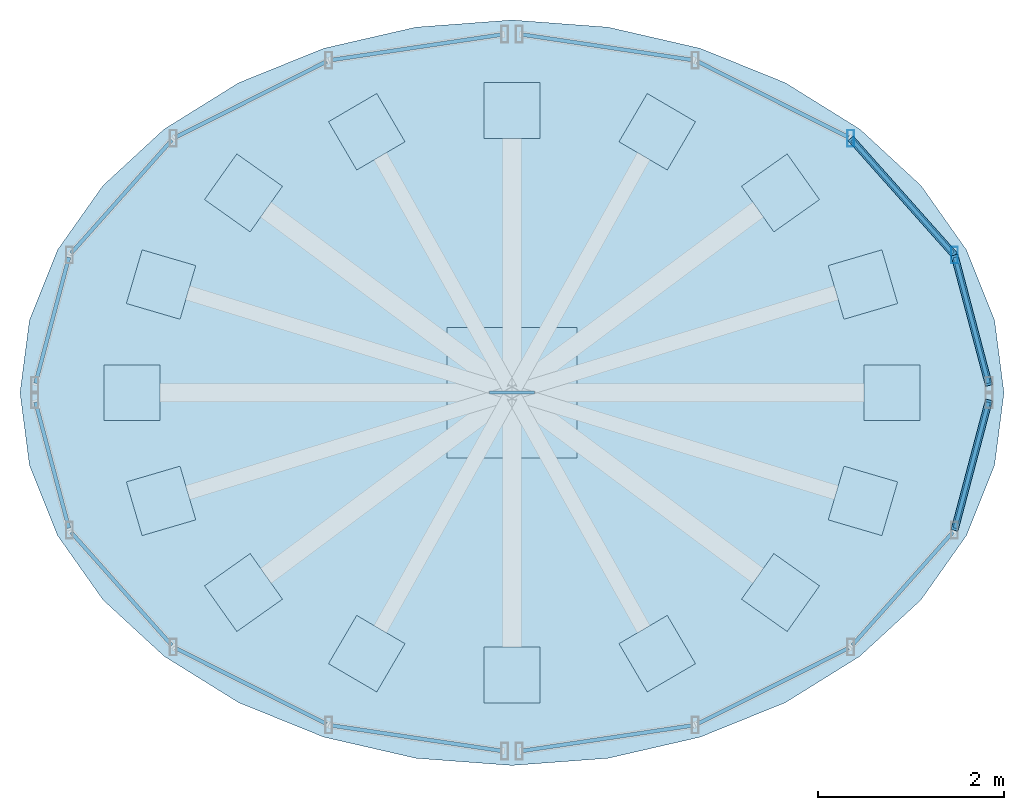
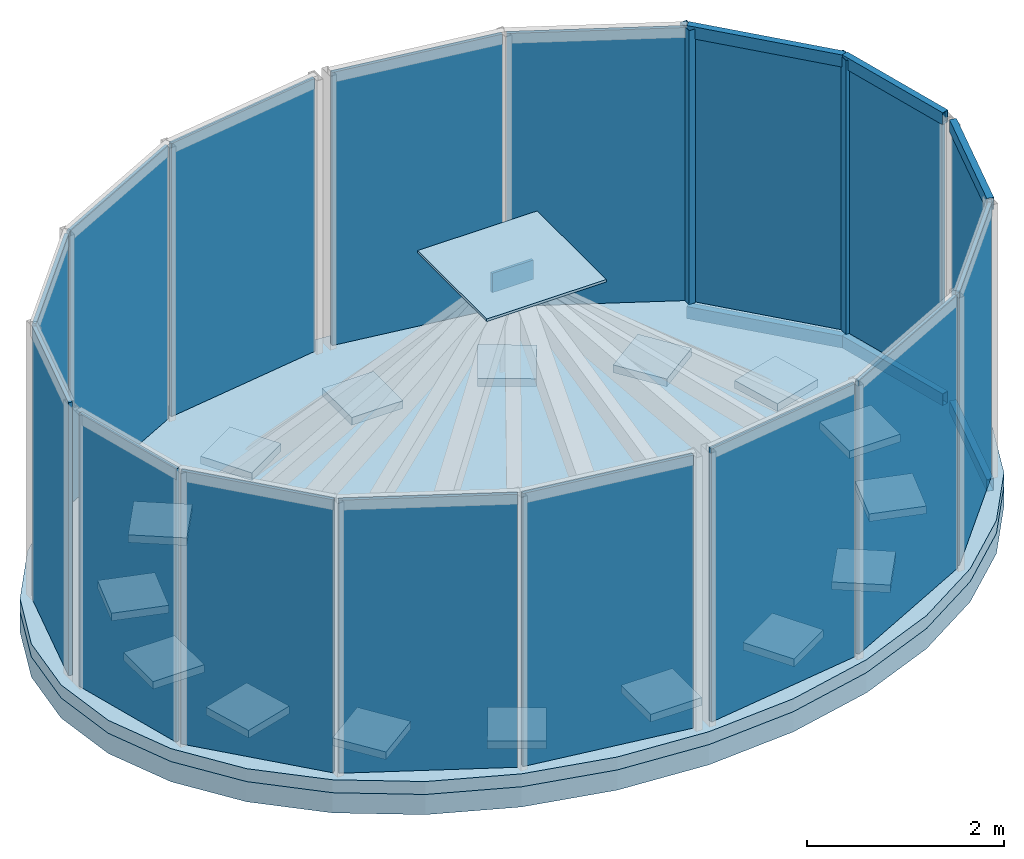
# One storey, part 2 of 2: 34 plates, 8 members, 1 roof, 1 slab, 4 elements without a shape of their own.
"""IFC4 building model written with IfcOpenShell, lengths in metres."""

from ifc_helpers import new_model, si_unit, direction, frame, origin, origin_2d, place, context, subcontext, project, spatial, polyline, rectangle, hollow_rectangle, outline, extrude, material, layer, layer_set, material_profile, profile_set, type_object, element, aggregate, save


model = new_model("IFC4")

# Units and contexts
model_context = context("Model", 3, precision=1e-05, world=origin(), true_north=direction((0.0, 1.0)))
body_context = subcontext(model_context, "Body", "Model", "MODEL_VIEW")
ifc_project = project(units=[si_unit("LENGTHUNIT", "METRE"), si_unit("AREAUNIT", "SQUARE_METRE"), si_unit("VOLUMEUNIT", "CUBIC_METRE"), si_unit("PLANEANGLEUNIT", "RADIAN"), si_unit("MASSUNIT", "GRAM", prefix="KILO")], contexts=[model_context])

# Site, building, storey
site_placement = place(None, origin())
site = spatial("IfcSite", under=ifc_project, at=site_placement, CompositionType="ELEMENT")
building_placement = place(site_placement, origin())
building = spatial("IfcBuilding", under=site, at=building_placement, Name="Vorneva Point Tower", CompositionType="ELEMENT")
storey_placement = place(building_placement, frame((0.0, 0.0, 314.39990234375)))
storey = spatial("IfcBuildingStorey", under=building, at=storey_placement, Name="RF", CompositionType="ELEMENT", Elevation=314.39990234375)

# Curtain wall, members
ifc_material_1 = material(Name="Pale anodised aluminium", Category="aluminium")
curtain_wall_type = type_object("IfcCurtainWallType", Name="CW-CRN-SYS", PredefinedType="NOTDEFINED", material=ifc_material_1)
curtain_wall_1_placement = place(storey_placement, origin())
curtain_wall_1 = element("IfcCurtainWall", 1, at=curtain_wall_1_placement, inside=storey, type_object=curtain_wall_type, Name="RF Unitised Curtain Wall CW-RF-Q1", PredefinedType="NOTDEFINED")
ifc_material_profile_1 = material_profile(ifc_material_1, hollow_rectangle(XDim=0.074951171875, YDim=0.179931640625, WallThickness=0.00390625, at=origin_2d()), Name="AL-MUL 180x75x4")
ifc_profile_set_1 = profile_set([ifc_material_profile_1], Name="Pale anodised aluminium")
member_type_1 = type_object("IfcMemberType", Name="CW-MUL-180", PredefinedType="MULLION", material=ifc_profile_set_1)
member_1_placement = place(storey_placement, frame((42.748779296875, 27.477294921875, -0.039794921875), z_axis=(0.0, 0.0, 1.0), x_axis=(1.0, 0.0, 0.0)))
member_1 = element("IfcMember", 2, at=member_1_placement, type_object=member_type_1, Name="CW-RF-Q1 Mullion 02", PredefinedType="MULLION", context=body_context, shape_type="SweptSolid", body=[
    extrude(hollow_rectangle(XDim=0.074951171875, YDim=0.179931640625, WallThickness=0.00390625, at=origin_2d()), origin(), (0.0, 0.0, 1.0), 3.58984375),
])
member_2_placement = place(storey_placement, frame((41.634521484375, 28.7294921875, -0.039794921875), z_axis=(0.0, 0.0, 1.0), x_axis=(1.0, 0.0, 0.0)))
member_2 = element("IfcMember", 3, at=member_2_placement, type_object=member_type_1, Name="CW-RF-Q1 Mullion 03", PredefinedType="MULLION", context=body_context, shape_type="SweptSolid", body=[
    extrude(hollow_rectangle(XDim=0.074951171875, YDim=0.179931640625, WallThickness=0.00390625, at=origin_2d()), origin(), (0.0, 0.0, 1.0), 3.58984375),
])
ifc_material_profile_2 = material_profile(ifc_material_1, hollow_rectangle(XDim=0.074951171875, YDim=0.14990234375, WallThickness=0.00390625, at=origin_2d()), Name="AL-TRN 150x75x4")
ifc_profile_set_2 = profile_set([ifc_material_profile_2], Name="Pale anodised aluminium")
member_type_2 = type_object("IfcMemberType", Name="CW-TRN-150", PredefinedType="USERDEFINED", material=ifc_profile_set_2)
member_3_placement = place(storey_placement, frame((43.119384765625, 26.077392578125, 0.02001953125), z_axis=(-0.255920363331, 0.966697867812, 0.0), x_axis=(-0.966697867812, -0.255920363331, 0.0)))
member_3 = element("IfcMember", 4, at=member_3_placement, type_object=member_type_2, Name="CW-RF-Q1 Transom 01.1", ObjectType="TRANSOM", PredefinedType="USERDEFINED", context=body_context, shape_type="SweptSolid", body=[
    extrude(hollow_rectangle(XDim=0.074951171875, YDim=0.14990234375, WallThickness=0.00390625, at=origin_2d()), origin(), (0.0, 0.0, 1.0), 1.4482421875),
])
member_4_placement = place(storey_placement, frame((43.119384765625, 26.077392578125, 3.5), z_axis=(-0.255920363331, 0.966697867812, 0.0), x_axis=(-0.966697867812, -0.255920363331, 0.0)))
member_4 = element("IfcMember", 5, at=member_4_placement, type_object=member_type_2, Name="CW-RF-Q1 Transom 01.2", ObjectType="TRANSOM", PredefinedType="USERDEFINED", context=body_context, shape_type="SweptSolid", body=[
    extrude(hollow_rectangle(XDim=0.074951171875, YDim=0.14990234375, WallThickness=0.00390625, at=origin_2d()), origin(), (0.0, 0.0, 1.0), 1.4482421875),
])
member_5_placement = place(storey_placement, frame((42.748779296875, 27.477294921875, 0.02001953125), z_axis=(-0.664761528843, 0.747055626958, 0.0), x_axis=(-0.747055626958, -0.664761528843, 0.0)))
member_5 = element("IfcMember", 6, at=member_5_placement, type_object=member_type_2, Name="CW-RF-Q1 Transom 02.1", ObjectType="TRANSOM", PredefinedType="USERDEFINED", context=body_context, shape_type="SweptSolid", body=[
    extrude(hollow_rectangle(XDim=0.074951171875, YDim=0.14990234375, WallThickness=0.00390625, at=origin_2d()), origin(), (0.0, 0.0, 1.0), 1.67626953125),
])
member_6_placement = place(storey_placement, frame((42.748779296875, 27.477294921875, 3.5), z_axis=(-0.664761528843, 0.747055626958, 0.0), x_axis=(-0.747055626958, -0.664761528843, 0.0)))
member_6 = element("IfcMember", 7, at=member_6_placement, type_object=member_type_2, Name="CW-RF-Q1 Transom 02.2", ObjectType="TRANSOM", PredefinedType="USERDEFINED", context=body_context, shape_type="SweptSolid", body=[
    extrude(hollow_rectangle(XDim=0.074951171875, YDim=0.14990234375, WallThickness=0.00390625, at=origin_2d()), origin(), (0.0, 0.0, 1.0), 1.67626953125),
])

curtain_wall_2_placement = place(storey_placement, origin())
curtain_wall_2 = element("IfcCurtainWall", 8, at=curtain_wall_2_placement, inside=storey, type_object=curtain_wall_type, Name="RF Unitised Curtain Wall CW-RF-Q4", PredefinedType="NOTDEFINED")
member_7_placement = place(storey_placement, frame((42.748779296875, 24.522705078125, 0.02001953125), z_axis=(0.255920363331, 0.966697867812, 0.0), x_axis=(-0.966697867812, 0.255920363331, 0.0)))
member_7 = element("IfcMember", 9, at=member_7_placement, type_object=member_type_2, Name="CW-RF-Q4 Transom 04.1", ObjectType="TRANSOM", PredefinedType="USERDEFINED", context=body_context, shape_type="SweptSolid", body=[
    extrude(hollow_rectangle(XDim=0.074951171875, YDim=0.14990234375, WallThickness=0.00390625, at=origin_2d()), origin(), (0.0, 0.0, 1.0), 1.4482421875),
])
member_8_placement = place(storey_placement, frame((42.748779296875, 24.522705078125, 3.5), z_axis=(0.255920363331, 0.966697867812, 0.0), x_axis=(-0.966697867812, 0.255920363331, 0.0)))
member_8 = element("IfcMember", 10, at=member_8_placement, type_object=member_type_2, Name="CW-RF-Q4 Transom 04.2", ObjectType="TRANSOM", PredefinedType="USERDEFINED", context=body_context, shape_type="SweptSolid", body=[
    extrude(hollow_rectangle(XDim=0.074951171875, YDim=0.14990234375, WallThickness=0.00390625, at=origin_2d()), origin(), (0.0, 0.0, 1.0), 1.4482421875),
])

# Plate
ifc_material_2 = material(Name="Triple-laminated clear crown glass", Category="glass")
ifc_layer_1 = layer(ifc_material_2, 0.0419921875)
ifc_layer_set_1 = layer_set([ifc_layer_1], Name="Triple-laminated clear crown glass")
plate_type_1 = type_object("IfcPlateType", Name="CW-PNL-CRN", PredefinedType="CURTAIN_PANEL", material=ifc_layer_set_1)
plate_1_placement = place(storey_placement, frame((42.93408203125, 26.77734375, -0.02001953125), z_axis=(0.0, 0.0, 1.0), x_axis=(-0.256053180524, 0.966662696468, 0.0)))
plate_1 = element("IfcPlate", 11, at=plate_1_placement, type_object=plate_type_1, Name="CW-RF-Q1 Glazed Panel 01", PredefinedType="CURTAIN_PANEL", context=body_context, shape_type="SweptSolid", body=[
    extrude(rectangle(XDim=1.398193359375, YDim=0.0419921875, at=origin_2d()), origin(), (0.0, 0.0, 1.0), 3.56005859375),
])

plate_2_placement = place(storey_placement, frame((42.191650390625, 28.103271484375, -0.02001953125), z_axis=(0.0, 0.0, 1.0), x_axis=(-0.664735019189, 0.747079215521, 0.0)))
plate_2 = element("IfcPlate", 12, at=plate_2_placement, type_object=plate_type_1, Name="CW-RF-Q1 Glazed Panel 02", PredefinedType="CURTAIN_PANEL", context=body_context, shape_type="SweptSolid", body=[
    extrude(rectangle(XDim=1.626220703125, YDim=0.0419921875, at=origin_2d()), origin(), (0.0, 0.0, 1.0), 3.56005859375),
])

plate_3_placement = place(storey_placement, frame((40.80078125, 29.147705078125, -0.02001953125), z_axis=(0.0, 0.0, 1.0), x_axis=(-0.893770981253, 0.44852361484, 0.0)))
plate_3 = element("IfcPlate", 13, at=plate_3_placement, type_object=plate_type_1, Name="CW-RF-Q1 Glazed Panel 03", PredefinedType="CURTAIN_PANEL", context=body_context, shape_type="SweptSolid", body=[
    extrude(rectangle(XDim=1.815673828125, YDim=0.0419921875, at=origin_2d()), origin(), (0.0, 0.0, 1.0), 3.56005859375),
])

plate_4_placement = place(storey_placement, frame((39.02294921875, 29.707275390625, -0.02001953125), z_axis=(0.0, 0.0, 1.0), x_axis=(-0.989026179995, 0.147740364437, 0.0)))
plate_4 = element("IfcPlate", 14, at=plate_4_placement, type_object=plate_type_1, Name="CW-RF-Q1 Glazed Panel 04", PredefinedType="CURTAIN_PANEL", context=body_context, shape_type="SweptSolid", body=[
    extrude(rectangle(XDim=1.85888671875, YDim=0.0419921875, at=origin_2d()), origin(), (0.0, 0.0, 1.0), 3.56005859375),
])

aggregate(curtain_wall_1, [member_1, member_2, member_3, member_4, plate_1, member_5, member_6, plate_2, plate_3, plate_4])

# Curtain wall, plates
curtain_wall_3_placement = place(storey_placement, origin())
curtain_wall_3 = element("IfcCurtainWall", 15, at=curtain_wall_3_placement, inside=storey, type_object=curtain_wall_type, Name="RF Unitised Curtain Wall CW-RF-Q2", PredefinedType="NOTDEFINED")
plate_5_placement = place(storey_placement, frame((36.97705078125, 29.707275390625, -0.02001953125), z_axis=(0.0, 0.0, 1.0), x_axis=(-0.989026179995, -0.147740364437, 0.0)))
plate_5 = element("IfcPlate", 16, at=plate_5_placement, type_object=plate_type_1, Name="CW-RF-Q2 Glazed Panel 01", PredefinedType="CURTAIN_PANEL", context=body_context, shape_type="SweptSolid", body=[
    extrude(rectangle(XDim=1.85888671875, YDim=0.0419921875, at=origin_2d()), origin(), (0.0, 0.0, 1.0), 3.56005859375),
])
plate_6_placement = place(storey_placement, frame((35.19921875, 29.147705078125, -0.02001953125), z_axis=(0.0, 0.0, 1.0), x_axis=(-0.893770981253, -0.44852361484, 0.0)))
plate_6 = element("IfcPlate", 17, at=plate_6_placement, type_object=plate_type_1, Name="CW-RF-Q2 Glazed Panel 02", PredefinedType="CURTAIN_PANEL", context=body_context, shape_type="SweptSolid", body=[
    extrude(rectangle(XDim=1.815673828125, YDim=0.0419921875, at=origin_2d()), origin(), (0.0, 0.0, 1.0), 3.56005859375),
])
plate_7_placement = place(storey_placement, frame((33.808349609375, 28.103271484375, -0.02001953125), z_axis=(0.0, 0.0, 1.0), x_axis=(-0.664735019189, -0.747079215521, 0.0)))
plate_7 = element("IfcPlate", 18, at=plate_7_placement, type_object=plate_type_1, Name="CW-RF-Q2 Glazed Panel 03", PredefinedType="CURTAIN_PANEL", context=body_context, shape_type="SweptSolid", body=[
    extrude(rectangle(XDim=1.626220703125, YDim=0.0419921875, at=origin_2d()), origin(), (0.0, 0.0, 1.0), 3.56005859375),
])
plate_8_placement = place(storey_placement, frame((33.06591796875, 26.77734375, -0.02001953125), z_axis=(0.0, 0.0, 1.0), x_axis=(-0.256053180524, -0.966662696468, 0.0)))
plate_8 = element("IfcPlate", 19, at=plate_8_placement, type_object=plate_type_1, Name="CW-RF-Q2 Glazed Panel 04", PredefinedType="CURTAIN_PANEL", context=body_context, shape_type="SweptSolid", body=[
    extrude(rectangle(XDim=1.398193359375, YDim=0.0419921875, at=origin_2d()), origin(), (0.0, 0.0, 1.0), 3.56005859375),
])
aggregate(curtain_wall_3, [plate_5, plate_6, plate_7, plate_8])

curtain_wall_4_placement = place(storey_placement, origin())
curtain_wall_4 = element("IfcCurtainWall", 20, at=curtain_wall_4_placement, inside=storey, type_object=curtain_wall_type, Name="RF Unitised Curtain Wall CW-RF-Q3", PredefinedType="NOTDEFINED")
plate_9_placement = place(storey_placement, frame((33.06591796875, 25.22265625, -0.02001953125), z_axis=(0.0, 0.0, 1.0), x_axis=(0.256053180524, -0.966662696468, 0.0)))
plate_9 = element("IfcPlate", 21, at=plate_9_placement, type_object=plate_type_1, Name="CW-RF-Q3 Glazed Panel 01", PredefinedType="CURTAIN_PANEL", context=body_context, shape_type="SweptSolid", body=[
    extrude(rectangle(XDim=1.398193359375, YDim=0.0419921875, at=origin_2d()), origin(), (0.0, 0.0, 1.0), 3.56005859375),
])
plate_10_placement = place(storey_placement, frame((33.808349609375, 23.896728515625, -0.02001953125), z_axis=(0.0, 0.0, 1.0), x_axis=(0.664735019189, -0.747079215521, 0.0)))
plate_10 = element("IfcPlate", 22, at=plate_10_placement, type_object=plate_type_1, Name="CW-RF-Q3 Glazed Panel 02", PredefinedType="CURTAIN_PANEL", context=body_context, shape_type="SweptSolid", body=[
    extrude(rectangle(XDim=1.626220703125, YDim=0.0419921875, at=origin_2d()), origin(), (0.0, 0.0, 1.0), 3.56005859375),
])
plate_11_placement = place(storey_placement, frame((35.19921875, 22.852294921875, -0.02001953125), z_axis=(0.0, 0.0, 1.0), x_axis=(0.893770981253, -0.44852361484, 0.0)))
plate_11 = element("IfcPlate", 23, at=plate_11_placement, type_object=plate_type_1, Name="CW-RF-Q3 Glazed Panel 03", PredefinedType="CURTAIN_PANEL", context=body_context, shape_type="SweptSolid", body=[
    extrude(rectangle(XDim=1.815673828125, YDim=0.0419921875, at=origin_2d()), origin(), (0.0, 0.0, 1.0), 3.56005859375),
])
plate_12_placement = place(storey_placement, frame((36.97705078125, 22.292724609375, -0.02001953125), z_axis=(0.0, 0.0, 1.0), x_axis=(0.989026179995, -0.147740364437, 0.0)))
plate_12 = element("IfcPlate", 24, at=plate_12_placement, type_object=plate_type_1, Name="CW-RF-Q3 Glazed Panel 04", PredefinedType="CURTAIN_PANEL", context=body_context, shape_type="SweptSolid", body=[
    extrude(rectangle(XDim=1.85888671875, YDim=0.0419921875, at=origin_2d()), origin(), (0.0, 0.0, 1.0), 3.56005859375),
])
aggregate(curtain_wall_4, [plate_9, plate_10, plate_11, plate_12])

# Plate
plate_13_placement = place(storey_placement, frame((39.02294921875, 22.292724609375, -0.02001953125), z_axis=(0.0, 0.0, 1.0), x_axis=(0.989026179995, 0.147740364437, 0.0)))
plate_13 = element("IfcPlate", 25, at=plate_13_placement, type_object=plate_type_1, Name="CW-RF-Q4 Glazed Panel 01", PredefinedType="CURTAIN_PANEL", context=body_context, shape_type="SweptSolid", body=[
    extrude(rectangle(XDim=1.85888671875, YDim=0.0419921875, at=origin_2d()), origin(), (0.0, 0.0, 1.0), 3.56005859375),
])

plate_14_placement = place(storey_placement, frame((40.80078125, 22.852294921875, -0.02001953125), z_axis=(0.0, 0.0, 1.0), x_axis=(0.893770981253, 0.44852361484, 0.0)))
plate_14 = element("IfcPlate", 26, at=plate_14_placement, type_object=plate_type_1, Name="CW-RF-Q4 Glazed Panel 02", PredefinedType="CURTAIN_PANEL", context=body_context, shape_type="SweptSolid", body=[
    extrude(rectangle(XDim=1.815673828125, YDim=0.0419921875, at=origin_2d()), origin(), (0.0, 0.0, 1.0), 3.56005859375),
])

plate_15_placement = place(storey_placement, frame((42.191650390625, 23.896728515625, -0.02001953125), z_axis=(0.0, 0.0, 1.0), x_axis=(0.664735019189, 0.747079215521, 0.0)))
plate_15 = element("IfcPlate", 27, at=plate_15_placement, type_object=plate_type_1, Name="CW-RF-Q4 Glazed Panel 03", PredefinedType="CURTAIN_PANEL", context=body_context, shape_type="SweptSolid", body=[
    extrude(rectangle(XDim=1.626220703125, YDim=0.0419921875, at=origin_2d()), origin(), (0.0, 0.0, 1.0), 3.56005859375),
])

plate_16_placement = place(storey_placement, frame((42.93408203125, 25.22265625, -0.02001953125), z_axis=(0.0, 0.0, 1.0), x_axis=(0.256053180524, 0.966662696468, 0.0)))
plate_16 = element("IfcPlate", 28, at=plate_16_placement, type_object=plate_type_1, Name="CW-RF-Q4 Glazed Panel 04", PredefinedType="CURTAIN_PANEL", context=body_context, shape_type="SweptSolid", body=[
    extrude(rectangle(XDim=1.398193359375, YDim=0.0419921875, at=origin_2d()), origin(), (0.0, 0.0, 1.0), 3.56005859375),
])

aggregate(curtain_wall_2, [plate_13, plate_14, plate_15, member_7, member_8, plate_16])

# Plates
ifc_material_3 = material(Name="Steel S355", Category="steel")
ifc_layer_2 = layer(ifc_material_3, 0.031982421875)
ifc_layer_set_2 = layer_set([ifc_layer_2], Name="Steel S355")
plate_type_2 = type_object("IfcPlateType", Name="PLT-BASE-EXT", PredefinedType="USERDEFINED", material=ifc_layer_set_2)
plate_17_placement = place(storey_placement, frame((38.0, 26.0, 3.47998046875), z_axis=(0.0, 0.0, 1.0), x_axis=(1.0, 0.0, 0.0)))
element("IfcPlate", 29, at=plate_17_placement, inside=storey, type_object=plate_type_2, Name="Crown Glass-Point Apex Steel Hub Cap", ObjectType="BASE PLATE", PredefinedType="USERDEFINED", context=body_context, shape_type="SweptSolid", body=[
    extrude(rectangle(XDim=1.39990234375, YDim=1.39990234375, at=origin_2d()), origin(), (0.0, 0.0, 1.0), 0.031982421875),
])
ifc_layer_3 = layer(ifc_material_3, 0.02392578125)
ifc_layer_set_3 = layer_set([ifc_layer_3], Name="Steel S355")
plate_type_3 = type_object("IfcPlateType", Name="PLT-CAP-EXT", PredefinedType="USERDEFINED", material=ifc_layer_set_3)
for number, where, z_axis, x_axis, name in (
    (30, (42.076904296875, 26.0, -0.02880859375), (0.0, 0.0, 1.0), (-1.0, 0.0, 0.0), "Crown Tapered Frame Rib C05-01 end closure plate 2"),
    (31, (41.76611328125, 27.160888671875, -0.0283203125), (0.0, 0.0, 1.0), (-0.95955508531, -0.281520937509, 0.0), "Crown Tapered Frame Rib C05-02 end closure plate 2"),
    (32, (40.881591796875, 28.144287109375, -0.02685546875), (0.0, 0.0, 1.0), (-0.816046810348, -0.577985815847, 0.0), "Crown Tapered Frame Rib C05-03 end closure plate 2"),
    (33, (39.558837890625, 28.800537109375, -0.025390625), (0.0, 0.0, 1.0), (-0.504844040917, -0.863210573586, 0.0), "Crown Tapered Frame Rib C05-04 end closure plate 2"),
    (34, (38.0, 29.03076171875, -0.02490234375), (0.0, 0.0, 1.0), (0.0, -1.0, 0.0), "Crown Tapered Frame Rib C05-05 end closure plate 2"),
    (35, (36.441162109375, 28.800537109375, -0.025390625), (0.0, 0.0, 1.0), (0.504844040917, -0.863210573586, 0.0), "Crown Tapered Frame Rib C05-06 end closure plate 2"),
    (36, (35.118408203125, 28.144287109375, -0.02685546875), (0.0, 0.0, 1.0), (0.816046810348, -0.577985815847, 0.0), "Crown Tapered Frame Rib C05-07 end closure plate 2"),
    (37, (34.23388671875, 27.160888671875, -0.0283203125), (0.0, 0.0, 1.0), (0.95955508531, -0.281520937509, 0.0), "Crown Tapered Frame Rib C05-08 end closure plate 2"),
    (38, (33.923095703125, 26.0, -0.02880859375), (0.0, 0.0, 1.0), (1.0, 0.0, 0.0), "Crown Tapered Frame Rib C05-09 end closure plate 2"),
    (39, (34.23388671875, 24.839111328125, -0.0283203125), (0.0, 0.0, 1.0), (0.95955508531, 0.281520937509, 0.0), "Crown Tapered Frame Rib C05-10 end closure plate 2"),
    (40, (35.118408203125, 23.855712890625, -0.02685546875), (0.0, 0.0, 1.0), (0.816046810348, 0.577985815847, 0.0), "Crown Tapered Frame Rib C05-11 end closure plate 2"),
    (41, (36.441162109375, 23.199462890625, -0.025390625), (0.0, 0.0, 1.0), (0.504844040917, 0.863210573586, 0.0), "Crown Tapered Frame Rib C05-12 end closure plate 2"),
    (42, (38.0, 22.96923828125, -0.02490234375), (0.0, 0.0, 1.0), (0.0, 1.0, 0.0), "Crown Tapered Frame Rib C05-13 end closure plate 2"),
    (43, (39.558837890625, 23.199462890625, -0.025390625), (0.0, 0.0, 1.0), (-0.504844040917, 0.863210573586, 0.0), "Crown Tapered Frame Rib C05-14 end closure plate 2"),
    (44, (40.881591796875, 23.855712890625, -0.02685546875), (0.0, 0.0, 1.0), (-0.816046810348, 0.577985815847, 0.0), "Crown Tapered Frame Rib C05-15 end closure plate 2"),
    (45, (41.76611328125, 24.839111328125, -0.0283203125), (0.0, 0.0, 1.0), (-0.95955508531, 0.281520937509, 0.0), "Crown Tapered Frame Rib C05-16 end closure plate 2"),
):
    element("IfcPlate", number, at=place(storey_placement, frame(where, z_axis=z_axis, x_axis=x_axis)), inside=storey, type_object=plate_type_3, Name=name, ObjectType="BASE PLATE", PredefinedType="USERDEFINED", context=body_context, shape_type="SweptSolid", body=[
        extrude(rectangle(XDim=0.60009765625, YDim=0.60009765625, at=origin_2d()), origin(), (0.0, 0.0, 1.0), 0.095947265625),
    ])
ifc_material_4 = material(Name="Steel S460", Category="steel")
ifc_layer_4 = layer(ifc_material_4, 0.031982421875)
ifc_layer_set_4 = layer_set([ifc_layer_4], Name="Steel S460")
plate_type_4 = type_object("IfcPlateType", Name="PLT-GUS-32", PredefinedType="USERDEFINED", material=ifc_layer_set_4)
plate_18_placement = place(storey_placement, frame((38.0, 26.0, 3.26025390625), z_axis=(0.0, 0.0, 1.0), x_axis=(1.0, 0.0, 0.0)))
element("IfcPlate", 46, at=plate_18_placement, inside=storey, type_object=plate_type_4, Name="Crown Apex Hub Vertical Gusset Fin", ObjectType="GUSSET PLATE", PredefinedType="USERDEFINED", context=body_context, shape_type="SweptSolid", body=[
    extrude(rectangle(XDim=0.47998046875, YDim=0.031982421875, at=origin_2d()), origin(), (0.0, 0.0, 1.0), 0.239990234375),
])

# Slab
ifc_material_5 = material(Name="Concrete B50 (C40/50)", Category="concrete")
ifc_layer_5 = layer(ifc_material_5, 0.25)
ifc_layer_set_5 = layer_set([ifc_layer_5], Name="Concrete B50 (C40/50)")
slab_type = type_object("IfcSlabType", Name="SLB-ROOF-250", PredefinedType="ROOF", material=ifc_layer_set_5)
slab_placement = place(storey_placement, frame((0.0, 0.0, -0.25)))
element("IfcSlab", 47, at=slab_placement, inside=storey, type_object=slab_type, Name="RF Crown Structural Roof Ring Slab", PredefinedType="ROOF", context=body_context, shape_type="SweptSolid", body=[
    extrude(outline(polyline([(43.280029296875, 26.0), (43.178466796875, 26.780517578125), (42.878173828125, 27.53076171875), (42.39013671875, 28.222412109375), (41.7333984375, 28.828369140625), (40.933349609375, 29.325927734375), (40.0205078125, 29.695556640625), (39.030029296875, 29.923095703125), (38.0, 30.0), (36.969970703125, 29.923095703125), (35.9794921875, 29.695556640625), (35.066650390625, 29.325927734375), (34.2666015625, 28.828369140625), (33.60986328125, 28.222412109375), (33.121826171875, 27.53076171875), (32.821533203125, 26.780517578125), (32.719970703125, 26.0), (32.821533203125, 25.219482421875), (33.121826171875, 24.46923828125), (33.60986328125, 23.777587890625), (34.2666015625, 23.171630859375), (35.066650390625, 22.674072265625), (35.9794921875, 22.304443359375), (36.969970703125, 22.076904296875), (38.0, 22.0), (39.030029296875, 22.076904296875), (40.0205078125, 22.304443359375), (40.933349609375, 22.674072265625), (41.7333984375, 23.171630859375), (42.39013671875, 23.777587890625), (42.878173828125, 24.46923828125), (43.178466796875, 25.219482421875), (43.280029296875, 26.0)])), origin(), (0.0, 0.0, 1.0), 0.25),
])

# Roof
ifc_material_6 = material(Name="Ballasted EPDM insulated roof build-up", Category="bitumen")
ifc_layer_6 = layer(ifc_material_6, 0.159912109375)
ifc_layer_set_6 = layer_set([ifc_layer_6], Name="Ballasted EPDM insulated roof build-up")
roof_type = type_object("IfcRoofType", Name="RFG-MEM-160", PredefinedType="FLAT_ROOF", material=ifc_layer_set_6)
roof_placement = place(storey_placement, frame((0.0, 0.0, -0.010009765625)))
element("IfcRoof", 48, at=roof_placement, inside=storey, type_object=roof_type, Name="Crown Apex Waterproof Roof Cap", PredefinedType="FLAT_ROOF", context=body_context, shape_type="SweptSolid", body=[
    extrude(outline(polyline([(43.280029296875, 26.0), (43.178466796875, 26.780517578125), (42.878173828125, 27.53076171875), (42.39013671875, 28.222412109375), (41.7333984375, 28.828369140625), (40.933349609375, 29.325927734375), (40.0205078125, 29.695556640625), (39.030029296875, 29.923095703125), (38.0, 30.0), (36.969970703125, 29.923095703125), (35.9794921875, 29.695556640625), (35.066650390625, 29.325927734375), (34.2666015625, 28.828369140625), (33.60986328125, 28.222412109375), (33.121826171875, 27.53076171875), (32.821533203125, 26.780517578125), (32.719970703125, 26.0), (32.821533203125, 25.219482421875), (33.121826171875, 24.46923828125), (33.60986328125, 23.777587890625), (34.2666015625, 23.171630859375), (35.066650390625, 22.674072265625), (35.9794921875, 22.304443359375), (36.969970703125, 22.076904296875), (38.0, 22.0), (39.030029296875, 22.076904296875), (40.0205078125, 22.304443359375), (40.933349609375, 22.674072265625), (41.7333984375, 23.171630859375), (42.39013671875, 23.777587890625), (42.878173828125, 24.46923828125), (43.178466796875, 25.219482421875), (43.280029296875, 26.0)])), origin(), (0.0, 0.0, 1.0), 0.170166015625),
])

save(model, "model.ifc")
